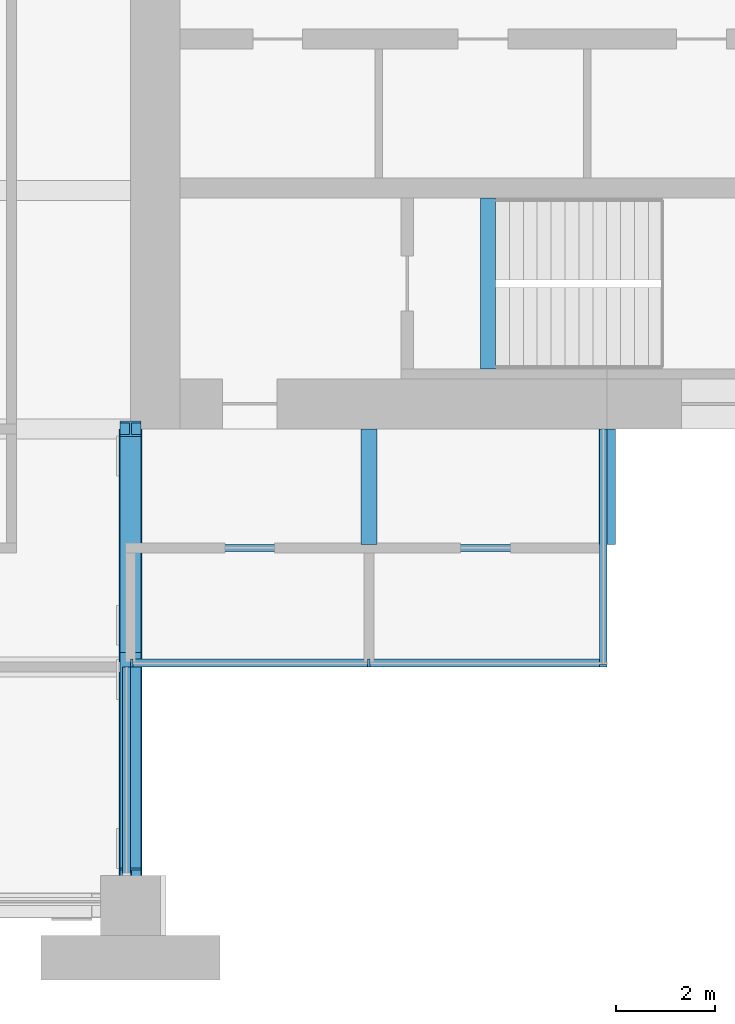
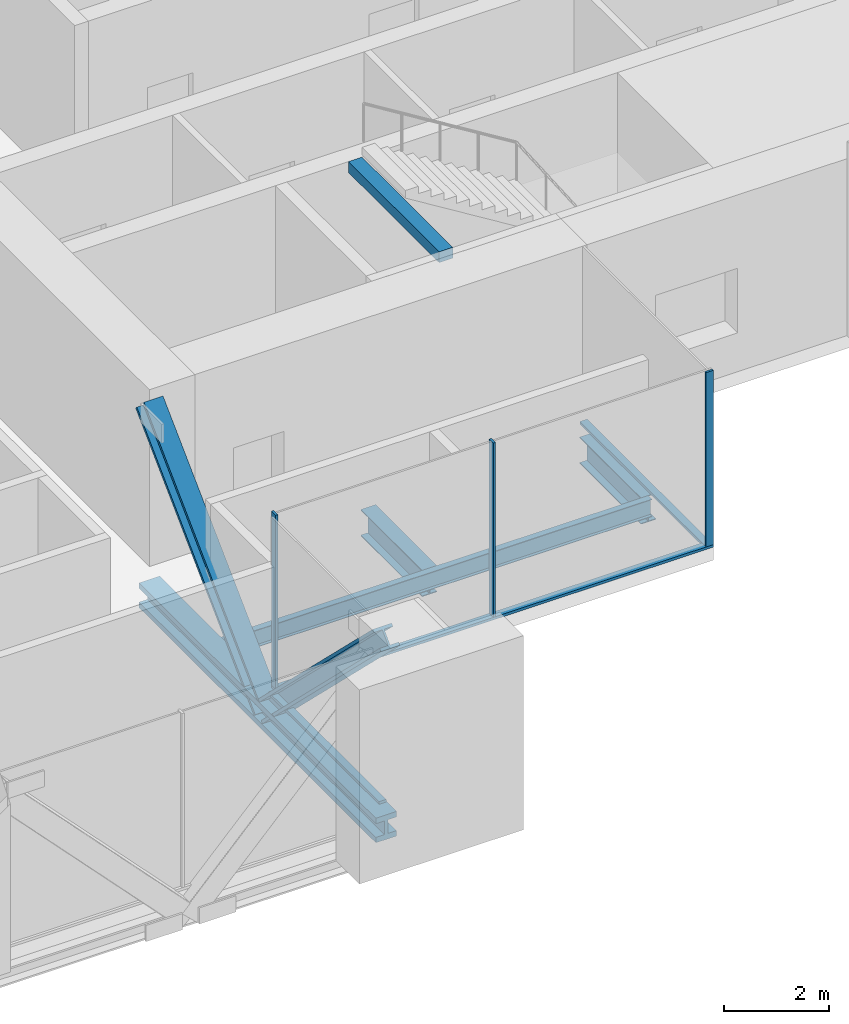
# One storey, part 4 of 14: 8 members, 5 beams, 3 elements without a shape of their own.
"""IFC4 building model written with IfcOpenShell, lengths in metres."""

from ifc_helpers import new_model, si_unit, direction, frame, origin, origin_2d, place, context, subcontext, project, spatial, rectangle, i_section, extrude, material, material_profile, profile_set, type_object, element, aggregate, save


model = new_model("IFC4")

# Units and contexts
model_context = context("Model", 3, precision=1e-05, world=origin(), true_north=direction((0.0, 1.0)))
body_context = subcontext(model_context, "Body", "Model", "MODEL_VIEW")
ifc_project = project(units=[si_unit("LENGTHUNIT", "METRE"), si_unit("AREAUNIT", "SQUARE_METRE"), si_unit("VOLUMEUNIT", "CUBIC_METRE"), si_unit("PLANEANGLEUNIT", "RADIAN"), si_unit("MASSUNIT", "GRAM", prefix="KILO")], contexts=[model_context])

# Site, building, storey
site_placement = place(None, origin())
site = spatial("IfcSite", under=ifc_project, at=site_placement, CompositionType="ELEMENT")
building_placement = place(site_placement, origin())
building = spatial("IfcBuilding", under=site, at=building_placement, Name="Baori Bourse Tower", CompositionType="ELEMENT")
storey_placement = place(building_placement, frame((0.0, 0.0, 176.10009765625)))
storey = spatial("IfcBuildingStorey", under=building, at=storey_placement, Name="L39", CompositionType="ELEMENT", Elevation=176.10009765625)

# Curtain wall, members
ifc_material_1 = material(Name="Pale anodised aluminium", Category="aluminium")
curtain_wall_type = type_object("IfcCurtainWallType", Name="CW3 Curtain wall", PredefinedType="NOTDEFINED", material=ifc_material_1)
curtain_wall_1_placement = place(storey_placement, origin())
curtain_wall_1 = element("IfcCurtainWall", 1, at=curtain_wall_1_placement, inside=storey, type_object=curtain_wall_type, Name="Curtain wall CW3 L39 13", PredefinedType="NOTDEFINED")
ifc_material_2 = material(Name="Pale anodised aluminium", Category="aluminium")
ifc_material_profile_1 = material_profile(ifc_material_2, rectangle(XDim=0.159912109375, YDim=0.050048828125, at=origin_2d()), Name="Mullion 50x160")
ifc_profile_set_1 = profile_set([ifc_material_profile_1], Name="Pale anodised aluminium")
member_type_1 = type_object("IfcMemberType", Name="CW3 Curtain wall mullion", PredefinedType="MULLION", material=ifc_profile_set_1)
member_1_placement = place(storey_placement, frame((38.425048828125, 4.8798828125, 0.059814453125), z_axis=(0.0, 0.0, 1.0), x_axis=(0.0, 1.0, 0.0)))
member_1 = element("IfcMember", 2, at=member_1_placement, type_object=member_type_1, Name="Curtain wall CW3 mullion", PredefinedType="MULLION", context=body_context, shape_type="SweptSolid", body=[
    extrude(rectangle(XDim=0.159912109375, YDim=0.050048828125, at=origin_2d()), origin(), (0.0, 0.0, 1.0), 4.0400390625),
])
member_2_placement = place(storey_placement, frame((43.199951171875, 4.8798828125, 0.059814453125), z_axis=(0.0, 0.0, 1.0), x_axis=(0.0, 1.0, 0.0)))
member_2 = element("IfcMember", 3, at=member_2_placement, type_object=member_type_1, Name="Curtain wall CW3 mullion", PredefinedType="MULLION", context=body_context, shape_type="SweptSolid", body=[
    extrude(rectangle(XDim=0.159912109375, YDim=0.050048828125, at=origin_2d()), origin(), (0.0, 0.0, 1.0), 4.0400390625),
])

# Curtain wall, member
curtain_wall_2_placement = place(storey_placement, origin())
curtain_wall_2 = element("IfcCurtainWall", 4, at=curtain_wall_2_placement, inside=storey, type_object=curtain_wall_type, Name="Curtain wall CW3 L39 14", PredefinedType="NOTDEFINED")
member_3_placement = place(storey_placement, frame((47.919921875, 4.824951171875, 0.059814453125), z_axis=(0.0, 0.0, 1.0), x_axis=(-1.0, 0.0, 0.0)))
member_3 = element("IfcMember", 5, at=member_3_placement, type_object=member_type_1, Name="Curtain wall CW3 mullion", PredefinedType="MULLION", context=body_context, shape_type="SweptSolid", body=[
    extrude(rectangle(XDim=0.159912109375, YDim=0.050048828125, at=origin_2d()), origin(), (0.0, 0.0, 1.0), 4.0400390625),
])

curtain_wall_3_placement = place(storey_placement, origin())
curtain_wall_3 = element("IfcCurtainWall", 6, at=curtain_wall_3_placement, inside=storey, type_object=curtain_wall_type, Name="Curtain wall CW3 L39 12", PredefinedType="NOTDEFINED")
ifc_material_3 = material(Name="Pale anodised aluminium", Category="aluminium")
ifc_material_profile_2 = material_profile(ifc_material_3, rectangle(XDim=0.159912109375, YDim=0.06005859375, at=origin_2d()), Name="Transom 60x160")
ifc_profile_set_2 = profile_set([ifc_material_profile_2], Name="Pale anodised aluminium")
member_type_2 = type_object("IfcMemberType", Name="CW3 Curtain wall transom", PredefinedType="USERDEFINED", material=ifc_profile_set_2)
member_4_placement = place(storey_placement, frame((38.320068359375, 0.60009765625, 0.02978515625), z_axis=(0.0, 1.0, 0.0), x_axis=(-1.0, 0.0, 0.0)))
member_4 = element("IfcMember", 7, at=member_4_placement, type_object=member_type_2, Name="Curtain wall CW3 sill rail", ObjectType="TRANSOM", PredefinedType="USERDEFINED", context=body_context, shape_type="SweptSolid", body=[
    extrude(rectangle(XDim=0.159912109375, YDim=0.06005859375, at=origin_2d()), origin(), (0.0, 0.0, 1.0), 4.199951171875),
])
aggregate(curtain_wall_3, [member_4])

# Member
member_5_placement = place(storey_placement, frame((38.39990234375, 4.8798828125, 0.02978515625), z_axis=(1.0, 0.0, 0.0), x_axis=(0.0, 1.0, 0.0)))
member_5 = element("IfcMember", 8, at=member_5_placement, type_object=member_type_2, Name="Curtain wall CW3 sill rail", ObjectType="TRANSOM", PredefinedType="USERDEFINED", context=body_context, shape_type="SweptSolid", body=[
    extrude(rectangle(XDim=0.159912109375, YDim=0.06005859375, at=origin_2d()), origin(), (0.0, 0.0, 1.0), 9.60009765625),
])

aggregate(curtain_wall_1, [member_5, member_1, member_2])

member_6_placement = place(storey_placement, frame((47.919921875, 4.800048828125, 0.02978515625), z_axis=(0.0, 1.0, 0.0), x_axis=(-1.0, 0.0, 0.0)))
member_6 = element("IfcMember", 9, at=member_6_placement, type_object=member_type_2, Name="Curtain wall CW3 sill rail", ObjectType="TRANSOM", PredefinedType="USERDEFINED", context=body_context, shape_type="SweptSolid", body=[
    extrude(rectangle(XDim=0.159912109375, YDim=0.06005859375, at=origin_2d()), origin(), (0.0, 0.0, 1.0), 4.800048828125),
])

aggregate(curtain_wall_2, [member_6, member_3])

# Beams
ifc_material_4 = material(Name="Steel A992 Gr 50", Category="steel")
ifc_material_profile_3 = material_profile(ifc_material_4, i_section(OverallWidth=0.3251953125, OverallDepth=0.612060546875, WebThickness=0.0126953125, FlangeThickness=0.01904296875, at=origin_2d()), Name="W24x104")
ifc_profile_set_3 = profile_set([ifc_material_profile_3], Name="Steel A992 Gr 50")
beam_type_1 = type_object("IfcBeamType", Name="Core bracket W24x104", PredefinedType="BEAM", material=ifc_profile_set_3)
for number, where, z_axis, x_axis, name in (
    (10, (43.199951171875, 7.270263671875, -0.606201171875), (0.0, 1.0, 0.0), (-1.0, 0.0, 0.0), "Core bracket L39"),
    (11, (48.0, 7.270263671875, -0.606201171875), (0.0, 1.0, 0.0), (-1.0, 0.0, 0.0), "Core bracket L39"),
):
    element("IfcBeam", number, at=place(storey_placement, frame(where, z_axis=z_axis, x_axis=x_axis)), inside=storey, type_object=beam_type_1, Name=name, PredefinedType="BEAM", context=body_context, shape_type="SweptSolid", body=[
        extrude(i_section(OverallWidth=0.3251953125, OverallDepth=0.612060546875, WebThickness=0.0126953125, FlangeThickness=0.01904296875, at=origin_2d()), origin(), (0.0, 0.0, 1.0), 2.329833984375),
    ])
ifc_material_5 = material(Name="Steel A913 Gr 65", Category="steel")
ifc_material_profile_4 = material_profile(ifc_material_5, i_section(OverallWidth=0.45458984375, OverallDepth=0.56884765625, WebThickness=0.077880859375, FlangeThickness=0.124755859375, at=origin_2d()), Name="W14x730")
ifc_profile_set_4 = profile_set([ifc_material_profile_4], Name="Steel A913 Gr 65")
beam_type_2 = type_object("IfcBeamType", Name="Outrigger truss chord W14x730", PredefinedType="BEAM", material=ifc_profile_set_4)
beam_1_placement = place(storey_placement, frame((38.39990234375, 0.60009765625, -0.58447265625), z_axis=(0.0, 1.0, 0.0), x_axis=(-1.0, 0.0, 0.0)))
element("IfcBeam", 12, at=beam_1_placement, inside=storey, type_object=beam_type_2, Name="Outrigger truss chord L39", PredefinedType="BEAM", context=body_context, shape_type="SweptSolid", body=[
    extrude(i_section(OverallWidth=0.45458984375, OverallDepth=0.56884765625, WebThickness=0.077880859375, FlangeThickness=0.124755859375, at=origin_2d()), origin(), (0.0, 0.0, 1.0), 9.0),
])

# Members
ifc_material_6 = material(Name="Steel A913 Gr 65", Category="steel")
ifc_material_profile_5 = material_profile(ifc_material_6, i_section(OverallWidth=0.419189453125, OverallDepth=0.45458984375, WebThickness=0.042236328125, FlangeThickness=0.067626953125, at=origin_2d()), Name="W14x370")
ifc_profile_set_5 = profile_set([ifc_material_profile_5], Name="Steel A913 Gr 65")
member_type_3 = type_object("IfcMemberType", Name="Outrigger truss diagonal W14x370", PredefinedType="BRACE", material=ifc_profile_set_5)
for number, where, z_axis, x_axis, name in (
    (13, (38.39990234375, 0.60009765625, 3.8154296875), (0.0, 0.715014425413, -0.699109699154), (-1.0, 0.0, 0.0), "Outrigger truss diagonal L39"),
    (14, (38.39990234375, 5.10009765625, -0.58447265625), (0.0, 0.715014425413, 0.699109699154), (-1.0, 0.0, 0.0), "Outrigger truss diagonal L39"),
):
    element("IfcMember", number, at=place(storey_placement, frame(where, z_axis=z_axis, x_axis=x_axis)), inside=storey, type_object=member_type_3, Name=name, PredefinedType="BRACE", context=body_context, shape_type="SweptSolid", body=[
        extrude(i_section(OverallWidth=0.419189453125, OverallDepth=0.45458984375, WebThickness=0.042236328125, FlangeThickness=0.067626953125, at=origin_2d()), origin(), (0.0, 0.0, 1.0), 6.293701171875),
    ])

# Beams
ifc_material_7 = material(Name="Concrete f'c 50 MPa", Category="concrete")
ifc_material_profile_6 = material_profile(ifc_material_7, rectangle(XDim=0.300048828125, YDim=0.25, at=origin_2d()), Name="RC 300x250")
ifc_profile_set_6 = profile_set([ifc_material_profile_6], Name="Concrete f'c 50 MPa")
beam_type_3 = type_object("IfcBeamType", Name="Stair nib beam RC 300x250", PredefinedType="BEAM", material=ifc_profile_set_6)
beam_2_placement = place(storey_placement, frame((45.60009765625, 10.800048828125, 3.974853515625), z_axis=(0.0, 1.0, 0.0), x_axis=(-1.0, 0.0, 0.0)))
element("IfcBeam", 15, at=beam_2_placement, inside=storey, type_object=beam_type_3, Name="Stair EA nib beam L40", PredefinedType="BEAM", context=body_context, shape_type="SweptSolid", body=[
    extrude(rectangle(XDim=0.300048828125, YDim=0.25, at=origin_2d()), origin(), (0.0, 0.0, 1.0), 3.449951171875),
])
ifc_material_8 = material(Name="Steel A992 Gr 50", Category="steel")
ifc_material_profile_7 = material_profile(ifc_material_8, i_section(OverallWidth=0.140380859375, OverallDepth=0.40380859375, WebThickness=0.007080078125, FlangeThickness=0.01123046875, at=origin_2d()), Name="W16x31")
ifc_profile_set_7 = profile_set([ifc_material_profile_7], Name="Steel A992 Gr 50")
beam_type_4 = type_object("IfcBeamType", Name="Trimmer beam W16x31", PredefinedType="BEAM", material=ifc_profile_set_7)
beam_3_placement = place(storey_placement, frame((38.62744140625, 7.199951171875, -0.501953125), z_axis=(1.0, 0.0, 0.0), x_axis=(0.0, 1.0, 0.0)))
element("IfcBeam", 16, at=beam_3_placement, inside=storey, type_object=beam_type_4, Name="Trimmer beam L39", PredefinedType="BEAM", context=body_context, shape_type="SweptSolid", body=[
    extrude(i_section(OverallWidth=0.140380859375, OverallDepth=0.40380859375, WebThickness=0.007080078125, FlangeThickness=0.01123046875, at=origin_2d()), origin(), (0.0, 0.0, 1.0), 9.37255859375),
])

save(model, "model.ifc")
